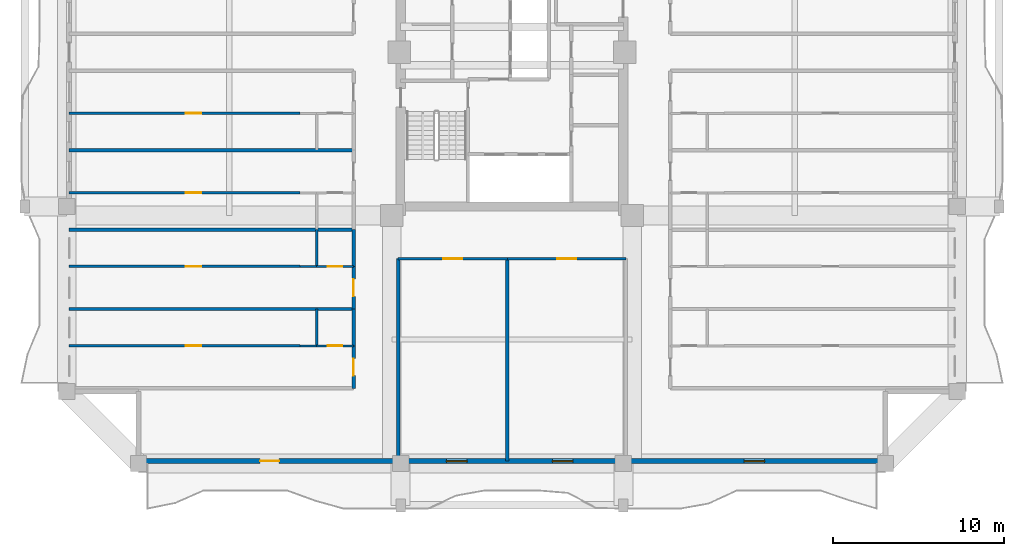
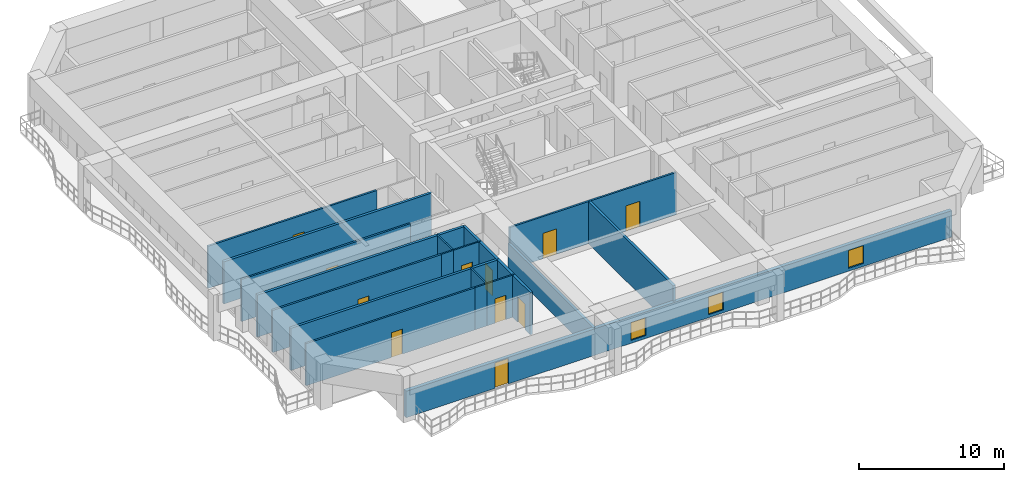
# One storey, part 2 of 13: 22 walls, 11 doors, 3 windows, 14 openings.
"""IFC4 building model written with IfcOpenShell, lengths in metres."""

from ifc_helpers import new_model, si_unit, direction, frame, frame_2d, origin, place, context, subcontext, project, spatial, rectangle, extrude, source, transform, mapped, material, layer, layer_set, type_object, element, fill, save


model = new_model("IFC4")

# Units and contexts
model_context = context("Model", 3, precision=1e-05, world=origin(), true_north=direction((0.0, 1.0)))
body_context = subcontext(model_context, "Body", "Model", "MODEL_VIEW")
ifc_project = project(units=[si_unit("LENGTHUNIT", "METRE"), si_unit("AREAUNIT", "SQUARE_METRE"), si_unit("VOLUMEUNIT", "CUBIC_METRE"), si_unit("PLANEANGLEUNIT", "RADIAN"), si_unit("MASSUNIT", "GRAM", prefix="KILO")], contexts=[model_context])

# Site, building, storey
site_placement = place(None, origin())
site = spatial("IfcSite", under=ifc_project, at=site_placement, CompositionType="ELEMENT")
building_placement = place(site_placement, origin())
building = spatial("IfcBuilding", under=site, at=building_placement, Name="Saelheon Loggia Tower", CompositionType="ELEMENT")
storey_placement = place(building_placement, frame((0.0, 0.0, 122.85009765625)))
storey = spatial("IfcBuildingStorey", under=building, at=storey_placement, Name="L39", CompositionType="ELEMENT", Elevation=122.85009765625)

# Wall, openings, windows, door
ifc_material_1 = material(Name="Architectural Precast Concrete C40/50", Category="concrete")
ifc_layer_1 = layer(ifc_material_1, 0.280029296875)
ifc_layer_set_1 = layer_set([ifc_layer_1], Name="Architectural Precast Concrete C40/50")
wall_type_1 = type_object("IfcWallType", Name="Wall_Ext_Loggia_280", PredefinedType="SOLIDWALL", material=ifc_layer_set_1)
wall_1_placement = place(storey_placement, frame((16.199951171875, 3.139892578125, 0.0), z_axis=(0.0, 0.0, 1.0), x_axis=(1.0, 0.0, 0.0)))
wall_1 = element("IfcWall", 1, at=wall_1_placement, inside=storey, type_object=wall_type_1, Name="L39 South Loggia Inner Wall", PredefinedType="SOLIDWALL", context=body_context, shape_type="SweptSolid", body=[
    extrude(rectangle(XDim=43.60009765625, YDim=0.280029296875, at=frame_2d((21.800048828125, 0.0))), origin(), (0.0, 0.0, 1.0), 2.239990234375),
])
opening_1_placement = place(wall_1_placement, frame((8.2001953125, 0.0, 0.0), z_axis=(0.0, 0.0, 1.0), x_axis=(-1.0, 0.0, 0.0)))
opening_1 = element("IfcOpeningElement", 2, at=opening_1_placement, cuts=wall_1, Name="Opening TD1", PredefinedType="OPENING", context=body_context, shape_type="SweptSolid", body=[
    extrude(rectangle(XDim=1.10009765625, YDim=2.14990234375, at=frame_2d((0.550048828125, 1.074951171875))), frame((0.0, 0.152099609375, 0.0), z_axis=(0.0, -1.0, 0.0), x_axis=(1.0, 0.0, 0.0)), (0.0, 0.0, 1.0), 0.303955078125),
])
opening_2_placement = place(wall_1_placement, frame((17.974609375, 0.0, 0.25)))
opening_2 = element("IfcOpeningElement", 3, at=opening_2_placement, cuts=wall_1, Name="Opening WN-03", PredefinedType="OPENING", context=body_context, shape_type="SweptSolid", body=[
    extrude(rectangle(XDim=1.199951171875, YDim=1.5, at=frame_2d((0.60009765625, 0.75))), frame((0.0, 0.152099609375, 0.0), z_axis=(0.0, -1.0, 0.0), x_axis=(1.0, 0.0, 0.0)), (0.0, 0.0, 1.0), 0.303955078125),
])
opening_3_placement = place(wall_1_placement, frame((24.159423828125, 0.0, 0.25)))
opening_3 = element("IfcOpeningElement", 4, at=opening_3_placement, cuts=wall_1, Name="Opening WN-03", PredefinedType="OPENING", context=body_context, shape_type="SweptSolid", body=[
    extrude(rectangle(XDim=1.199951171875, YDim=1.5, at=frame_2d((0.60009765625, 0.75))), frame((0.0, 0.152099609375, 0.0), z_axis=(0.0, -1.0, 0.0), x_axis=(1.0, 0.0, 0.0)), (0.0, 0.0, 1.0), 0.303955078125),
])
opening_4_placement = place(wall_1_placement, frame((35.35009765625, 0.0, 0.25)))
opening_4 = element("IfcOpeningElement", 5, at=opening_4_placement, cuts=wall_1, Name="Opening WN-03", PredefinedType="OPENING", context=body_context, shape_type="SweptSolid", body=[
    extrude(rectangle(XDim=1.199951171875, YDim=1.5, at=frame_2d((0.60009765625, 0.75))), frame((0.0, 0.152099609375, 0.0), z_axis=(0.0, -1.0, 0.0), x_axis=(1.0, 0.0, 0.0)), (0.0, 0.0, 1.0), 0.303955078125),
])
ifc_material_2 = material(Name="Thermal-Break Aluminium and Triple Low-E Glass", Category="aluminium")
window_type = type_object("IfcWindowType", Name="Win_Bedroom_1200x1500", PartitioningType="SINGLE_PANEL", PredefinedType="WINDOW", material=ifc_material_2)
shared_shape_1 = source(origin(), body_context, "Body", "SweptSolid", [
    extrude(rectangle(XDim=1.199951171875, YDim=1.5, at=frame_2d((0.60009765625, 0.75))), frame((0.0, 0.030029296875, 0.0), z_axis=(0.0, -1.0, 0.0), x_axis=(1.0, 0.0, 0.0)), (0.0, 0.0, 1.0), 0.06005859375),
])
window_1_placement = place(opening_2_placement, origin())
window_1 = element("IfcWindow", 6, at=window_1_placement, inside=storey, type_object=window_type, Name="L39 S Dwelling Window 2", OverallHeight=1.5, OverallWidth=1.199951171875, PartitioningType="SINGLE_PANEL", PredefinedType="WINDOW", context=body_context, shape_type="MappedRepresentation", body=[
    mapped(shared_shape_1, transform((0.0, 0.0, 0.0), scale=1.0)),
])
fill(opening_2, window_1)
window_2_placement = place(opening_3_placement, origin())
window_2 = element("IfcWindow", 7, at=window_2_placement, inside=storey, type_object=window_type, Name="L39 S Dwelling Window 3", OverallHeight=1.5, OverallWidth=1.199951171875, PartitioningType="SINGLE_PANEL", PredefinedType="WINDOW", context=body_context, shape_type="MappedRepresentation", body=[
    mapped(shared_shape_1, transform((0.0, 0.0, 0.0), scale=1.0)),
])
fill(opening_3, window_2)
window_3_placement = place(opening_4_placement, origin())
window_3 = element("IfcWindow", 8, at=window_3_placement, inside=storey, type_object=window_type, Name="L39 S Dwelling Window 4", OverallHeight=1.5, OverallWidth=1.199951171875, PartitioningType="SINGLE_PANEL", PredefinedType="WINDOW", context=body_context, shape_type="MappedRepresentation", body=[
    mapped(shared_shape_1, transform((0.0, 0.0, 0.0), scale=1.0)),
])
fill(opening_4, window_3)
ifc_material_3 = material(Name="Thermal-Break Aluminium Glazed Door", Category="aluminium")
door_type_1 = type_object("IfcDoorType", Name="Door_Terrace_TD1", OperationType="NOTDEFINED", PredefinedType="DOOR", material=ifc_material_3)
shared_shape_2 = source(origin(), body_context, "Body", "SweptSolid", [
    extrude(rectangle(XDim=1.10009765625, YDim=2.14990234375, at=frame_2d((0.550048828125, 1.074951171875))), frame((0.0, 0.02490234375, 0.0), z_axis=(0.0, -1.0, 0.0), x_axis=(1.0, 0.0, 0.0)), (0.0, 0.0, 1.0), 0.050048828125),
])
door_1_placement = place(opening_1_placement, origin())
door_1 = element("IfcDoor", 9, at=door_1_placement, inside=storey, type_object=door_type_1, Name="L39 S Loggia Access Door", OperationType="SINGLE_SWING_LEFT", OverallHeight=2.14990234375, OverallWidth=1.10009765625, PredefinedType="DOOR", context=body_context, shape_type="MappedRepresentation", body=[
    mapped(shared_shape_2, transform((0.0, 0.0, 0.0), scale=1.0)),
])
fill(opening_1, door_1)

# Wall, opening, door
ifc_material_4 = material(Name="Lightweight Autoclaved Aerated Concrete Block and Acoustic Gypsum", Category="concrete")
ifc_layer_2 = layer(ifc_material_4, 0.14990234375)
ifc_layer_set_2 = layer_set([ifc_layer_2], Name="Lightweight Autoclaved Aerated Concrete Block and Acoustic Gypsum")
wall_type_2 = type_object("IfcWallType", Name="Wall_Part_150", PredefinedType="PARTITIONING", material=ifc_layer_set_2)
wall_2_placement = place(storey_placement, frame((31.35009765625, 14.949951171875, 0.0), z_axis=(0.0, 0.0, 1.0), x_axis=(1.0, 0.0, 0.0)))
wall_2 = element("IfcWall", 10, at=wall_2_placement, inside=storey, type_object=wall_type_2, Name="L39 S Partition V03", PredefinedType="PARTITIONING", context=body_context, shape_type="SweptSolid", body=[
    extrude(rectangle(XDim=6.3837890625, YDim=0.14990234375, at=frame_2d((3.19189453125, 0.0))), origin(), (0.0, 0.0, 1.0), 3.559814453125),
])
opening_5_placement = place(wall_2_placement, frame((2.64208984375, 0.0, 0.0)))
opening_5 = element("IfcOpeningElement", 11, at=opening_5_placement, cuts=wall_2, Name="Opening D-FD2", PredefinedType="OPENING", context=body_context, shape_type="SweptSolid", body=[
    extrude(rectangle(XDim=1.10009765625, YDim=2.14990234375, at=frame_2d((0.550048828125, 1.074951171875))), frame((0.0, 0.0869140625, 0.0), z_axis=(0.0, -1.0, 0.0), x_axis=(1.0, 0.0, 0.0)), (0.0, 0.0, 1.0), 0.173828125),
])
ifc_material_5 = material(Name="Galvanised Steel Fire Door", Category="steel")
door_type_2 = type_object("IfcDoorType", Name="Door_Fire_FD60_1100", OperationType="NOTDEFINED", PredefinedType="DOOR", material=ifc_material_5)
door_2_placement = place(opening_5_placement, origin())
door_2 = element("IfcDoor", 12, at=door_2_placement, inside=storey, type_object=door_type_2, Name="L39 Sky Community Club Hall Door A", OperationType="SINGLE_SWING_LEFT", OverallHeight=2.14990234375, OverallWidth=1.10009765625, PredefinedType="DOOR", context=body_context, shape_type="MappedRepresentation", body=[
    mapped(shared_shape_2, transform((0.0, 0.0, 0.0), scale=1.0)),
])
fill(opening_5, door_2)

wall_3_placement = place(storey_placement, frame((37.73388671875, 14.949951171875, 0.0), z_axis=(0.0, 0.0, 1.0), x_axis=(1.0, 0.0, 0.0)))
wall_3 = element("IfcWall", 13, at=wall_3_placement, inside=storey, type_object=wall_type_2, Name="L39 S Partition V05", PredefinedType="PARTITIONING", context=body_context, shape_type="SweptSolid", body=[
    extrude(rectangle(XDim=6.916015625, YDim=0.14990234375, at=frame_2d((3.4580078125, 0.0))), origin(), (0.0, 0.0, 1.0), 3.559814453125),
])
opening_6_placement = place(wall_3_placement, frame((2.907958984375, 0.0, 0.0)))
opening_6 = element("IfcOpeningElement", 14, at=opening_6_placement, cuts=wall_3, Name="Opening D-FD2", PredefinedType="OPENING", context=body_context, shape_type="SweptSolid", body=[
    extrude(rectangle(XDim=1.10009765625, YDim=2.14990234375, at=frame_2d((0.550048828125, 1.074951171875))), frame((0.0, 0.0869140625, 0.0), z_axis=(0.0, -1.0, 0.0), x_axis=(1.0, 0.0, 0.0)), (0.0, 0.0, 1.0), 0.173828125),
])
door_3_placement = place(opening_6_placement, origin())
door_3 = element("IfcDoor", 15, at=door_3_placement, inside=storey, type_object=door_type_2, Name="L39 Community Wellness Activity Hall Door A", OperationType="SINGLE_SWING_RIGHT", OverallHeight=2.14990234375, OverallWidth=1.10009765625, PredefinedType="DOOR", context=body_context, shape_type="MappedRepresentation", body=[
    mapped(shared_shape_2, transform((0.0, 0.0, 0.0), scale=1.0)),
])
fill(opening_6, door_3)

wall_4_placement = place(storey_placement, frame((25.6298828125, 9.864990234375, 0.0), z_axis=(0.0, 0.0, 1.0), x_axis=(-1.0, 0.0, 0.0)))
wall_4 = element("IfcWall", 16, at=wall_4_placement, inside=storey, type_object=wall_type_2, Name="L39 WS Partition U08", PredefinedType="PARTITIONING", context=body_context, shape_type="SweptSolid", body=[
    extrude(rectangle(XDim=13.47998046875, YDim=0.14990234375, at=frame_2d((6.739990234375, 0.0))), origin(), (0.0, 0.0, 1.0), 3.559814453125),
])
opening_7_placement = place(wall_4_placement, frame((5.785888671875, 0.0, 0.0)))
opening_7 = element("IfcOpeningElement", 17, at=opening_7_placement, cuts=wall_4, Name="Opening D-IN2", PredefinedType="OPENING", context=body_context, shape_type="SweptSolid", body=[
    extrude(rectangle(XDim=0.89990234375, YDim=2.10009765625, at=frame_2d((0.449951171875, 1.050048828125))), frame((0.0, 0.0869140625, 0.0), z_axis=(0.0, -1.0, 0.0), x_axis=(1.0, 0.0, 0.0)), (0.0, 0.0, 1.0), 0.173828125),
])
ifc_material_6 = material(Name="Engineered Oak Flush Door", Category="timber")
door_type_3 = type_object("IfcDoorType", Name="Door_Int_900", OperationType="NOTDEFINED", PredefinedType="DOOR", material=ifc_material_6)
shared_shape_3 = source(origin(), body_context, "Body", "SweptSolid", [
    extrude(rectangle(XDim=0.89990234375, YDim=2.10009765625, at=frame_2d((0.449951171875, 1.050048828125))), frame((0.0, 0.02490234375, 0.0), z_axis=(0.0, -1.0, 0.0), x_axis=(1.0, 0.0, 0.0)), (0.0, 0.0, 1.0), 0.050048828125),
])
door_4_placement = place(opening_7_placement, origin())
door_4 = element("IfcDoor", 18, at=door_4_placement, inside=storey, type_object=door_type_3, Name="Unit U01 Kitchen Door", OperationType="SINGLE_SWING_RIGHT", OverallHeight=2.10009765625, OverallWidth=0.89990234375, PredefinedType="DOOR", context=body_context, shape_type="MappedRepresentation", body=[
    mapped(shared_shape_3, transform((0.0, 0.0, 0.0), scale=1.0)),
])
fill(opening_7, door_4)

wall_5_placement = place(storey_placement, frame((25.6298828125, 14.5, 0.0), z_axis=(0.0, 0.0, 1.0), x_axis=(-1.0, 0.0, 0.0)))
wall_5 = element("IfcWall", 19, at=wall_5_placement, inside=storey, type_object=wall_type_2, Name="L39 WS Partition U15", PredefinedType="PARTITIONING", context=body_context, shape_type="SweptSolid", body=[
    extrude(rectangle(XDim=13.47998046875, YDim=0.14990234375, at=frame_2d((6.739990234375, 0.0))), origin(), (0.0, 0.0, 1.0), 3.559814453125),
])
opening_8_placement = place(wall_5_placement, frame((5.785888671875, 0.0, 0.0)))
opening_8 = element("IfcOpeningElement", 20, at=opening_8_placement, cuts=wall_5, Name="Opening D-IN2", PredefinedType="OPENING", context=body_context, shape_type="SweptSolid", body=[
    extrude(rectangle(XDim=0.89990234375, YDim=2.10009765625, at=frame_2d((0.449951171875, 1.050048828125))), frame((0.0, 0.0869140625, 0.0), z_axis=(0.0, -1.0, 0.0), x_axis=(1.0, 0.0, 0.0)), (0.0, 0.0, 1.0), 0.173828125),
])
door_5_placement = place(opening_8_placement, origin())
door_5 = element("IfcDoor", 21, at=door_5_placement, inside=storey, type_object=door_type_3, Name="Unit U02 Kitchen Door", OperationType="SINGLE_SWING_LEFT", OverallHeight=2.10009765625, OverallWidth=0.89990234375, PredefinedType="DOOR", context=body_context, shape_type="MappedRepresentation", body=[
    mapped(shared_shape_3, transform((0.0, 0.0, 0.0), scale=1.0)),
])
fill(opening_8, door_5)

wall_6_placement = place(storey_placement, frame((25.6298828125, 18.800048828125, 0.0), z_axis=(0.0, 0.0, 1.0), x_axis=(-1.0, 0.0, 0.0)))
wall_6 = element("IfcWall", 22, at=wall_6_placement, inside=storey, type_object=wall_type_2, Name="L39 WS Partition U22", PredefinedType="PARTITIONING", context=body_context, shape_type="SweptSolid", body=[
    extrude(rectangle(XDim=13.47998046875, YDim=0.14990234375, at=frame_2d((6.739990234375, 0.0))), origin(), (0.0, 0.0, 1.0), 3.559814453125),
])
opening_9_placement = place(wall_6_placement, frame((5.785888671875, 0.0, 0.0)))
opening_9 = element("IfcOpeningElement", 23, at=opening_9_placement, cuts=wall_6, Name="Opening D-IN2", PredefinedType="OPENING", context=body_context, shape_type="SweptSolid", body=[
    extrude(rectangle(XDim=0.89990234375, YDim=2.10009765625, at=frame_2d((0.449951171875, 1.050048828125))), frame((0.0, 0.0869140625, 0.0), z_axis=(0.0, -1.0, 0.0), x_axis=(1.0, 0.0, 0.0)), (0.0, 0.0, 1.0), 0.173828125),
])
door_6_placement = place(opening_9_placement, origin())
door_6 = element("IfcDoor", 24, at=door_6_placement, inside=storey, type_object=door_type_3, Name="Unit U03 Kitchen Door", OperationType="SINGLE_SWING_RIGHT", OverallHeight=2.10009765625, OverallWidth=0.89990234375, PredefinedType="DOOR", context=body_context, shape_type="MappedRepresentation", body=[
    mapped(shared_shape_3, transform((0.0, 0.0, 0.0), scale=1.0)),
])
fill(opening_9, door_6)

wall_7_placement = place(storey_placement, frame((25.6298828125, 23.43505859375, 0.0), z_axis=(0.0, 0.0, 1.0), x_axis=(-1.0, 0.0, 0.0)))
wall_7 = element("IfcWall", 25, at=wall_7_placement, inside=storey, type_object=wall_type_2, Name="L39 WS Partition U29", PredefinedType="PARTITIONING", context=body_context, shape_type="SweptSolid", body=[
    extrude(rectangle(XDim=13.47998046875, YDim=0.14990234375, at=frame_2d((6.739990234375, 0.0))), origin(), (0.0, 0.0, 1.0), 3.559814453125),
])
opening_10_placement = place(wall_7_placement, frame((5.785888671875, 0.0, 0.0)))
opening_10 = element("IfcOpeningElement", 26, at=opening_10_placement, cuts=wall_7, Name="Opening D-IN2", PredefinedType="OPENING", context=body_context, shape_type="SweptSolid", body=[
    extrude(rectangle(XDim=0.89990234375, YDim=2.10009765625, at=frame_2d((0.449951171875, 1.050048828125))), frame((0.0, 0.0869140625, 0.0), z_axis=(0.0, -1.0, 0.0), x_axis=(1.0, 0.0, 0.0)), (0.0, 0.0, 1.0), 0.173828125),
])
door_7_placement = place(opening_10_placement, origin())
door_7 = element("IfcDoor", 27, at=door_7_placement, inside=storey, type_object=door_type_3, Name="Unit U04 Kitchen Door", OperationType="SINGLE_SWING_LEFT", OverallHeight=2.10009765625, OverallWidth=0.89990234375, PredefinedType="DOOR", context=body_context, shape_type="MappedRepresentation", body=[
    mapped(shared_shape_3, transform((0.0, 0.0, 0.0), scale=1.0)),
])
fill(opening_10, door_7)

# Walls
ifc_material_7 = material(Name="Double Acoustic Stud and Fireboard Partition", Category="gypsum")
ifc_layer_3 = layer(ifc_material_7, 0.199951171875)
ifc_layer_set_3 = layer_set([ifc_layer_3], Name="Double Acoustic Stud and Fireboard Partition")
wall_type_3 = type_object("IfcWallType", Name="Wall_Party_200", PredefinedType="PARTITIONING", material=ifc_layer_set_3)
wall_8_placement = place(storey_placement, frame((31.35009765625, 14.949951171875, 0.0), z_axis=(0.0, 0.0, 1.0), x_axis=(0.0, -1.0, 0.0)))
element("IfcWall", 28, at=wall_8_placement, inside=storey, type_object=wall_type_3, Name="L39 S Partition U01", PredefinedType="PARTITIONING", context=body_context, shape_type="SweptSolid", body=[
    extrude(rectangle(XDim=11.800048828125, YDim=0.199951171875, at=frame_2d((5.89990234375, 0.0))), origin(), (0.0, 0.0, 1.0), 2.239990234375),
])
wall_9_placement = place(storey_placement, frame((37.73388671875, 14.949951171875, 0.0), z_axis=(0.0, 0.0, 1.0), x_axis=(0.0, -1.0, 0.0)))
element("IfcWall", 29, at=wall_9_placement, inside=storey, type_object=wall_type_3, Name="L39 S Partition U04", PredefinedType="PARTITIONING", context=body_context, shape_type="SweptSolid", body=[
    extrude(rectangle(XDim=11.800048828125, YDim=0.199951171875, at=frame_2d((5.89990234375, 0.0))), origin(), (0.0, 0.0, 1.0), 3.559814453125),
])

# Wall, opening, door
wall_10_placement = place(storey_placement, frame((28.75, 7.3798828125, 0.0), z_axis=(0.0, 0.0, 1.0), x_axis=(0.0, 1.0, 0.0)))
wall_10 = element("IfcWall", 30, at=wall_10_placement, inside=storey, type_object=wall_type_3, Name="L39 WS Partition V03", PredefinedType="PARTITIONING", context=body_context, shape_type="SweptSolid", body=[
    extrude(rectangle(XDim=2.485107421875, YDim=0.199951171875, at=frame_2d((1.24267578125, 0.0))), origin(), (0.0, 0.0, 1.0), 3.559814453125),
])
opening_11_placement = place(wall_10_placement, frame((0.742431640625, 0.0, 0.0)))
opening_11 = element("IfcOpeningElement", 31, at=opening_11_placement, cuts=wall_10, Name="Opening D-FD1", PredefinedType="OPENING", context=body_context, shape_type="SweptSolid", body=[
    extrude(rectangle(XDim=1.0, YDim=2.14990234375, at=frame_2d((0.5, 1.074951171875))), frame((0.0, 0.112060546875, 0.0), z_axis=(0.0, -1.0, 0.0), x_axis=(1.0, 0.0, 0.0)), (0.0, 0.0, 1.0), 0.223876953125),
])
ifc_material_8 = material(Name="Fire-Rated Engineered Timber Entrance Door", Category="wood")
door_type_4 = type_object("IfcDoorType", Name="Door_Flat_FD30S", OperationType="NOTDEFINED", PredefinedType="DOOR", material=ifc_material_8)
shared_shape_4 = source(origin(), body_context, "Body", "SweptSolid", [
    extrude(rectangle(XDim=1.0, YDim=2.14990234375, at=frame_2d((0.5, 1.074951171875))), frame((0.0, 0.02490234375, 0.0), z_axis=(0.0, -1.0, 0.0), x_axis=(1.0, 0.0, 0.0)), (0.0, 0.0, 1.0), 0.050048828125),
])
door_8_placement = place(opening_11_placement, origin())
door_8 = element("IfcDoor", 32, at=door_8_placement, inside=storey, type_object=door_type_4, Name="Unit U01 Entrance Door", OperationType="SINGLE_SWING_RIGHT", OverallHeight=2.14990234375, OverallWidth=1.0, PredefinedType="DOOR", context=body_context, shape_type="MappedRepresentation", body=[
    mapped(shared_shape_4, transform((0.0, 0.0, 0.0), scale=1.0)),
])
fill(opening_11, door_8)

# Walls
wall_11_placement = place(storey_placement, frame((28.75, 9.864990234375, 0.0), z_axis=(0.0, 0.0, 1.0), x_axis=(0.0, 1.0, 0.0)))
element("IfcWall", 33, at=wall_11_placement, inside=storey, type_object=wall_type_3, Name="L39 WS Partition V04", PredefinedType="PARTITIONING", context=body_context, shape_type="SweptSolid", body=[
    extrude(rectangle(XDim=2.14990234375, YDim=0.199951171875, at=frame_2d((1.074951171875, 0.0))), origin(), (0.0, 0.0, 1.0), 3.559814453125),
])
wall_12_placement = place(storey_placement, frame((28.75, 12.014892578125, 0.0), z_axis=(0.0, 0.0, 1.0), x_axis=(-1.0, 0.0, 0.0)))
element("IfcWall", 34, at=wall_12_placement, inside=storey, type_object=wall_type_3, Name="L39 WS Partition U09", PredefinedType="PARTITIONING", context=body_context, shape_type="SweptSolid", body=[
    extrude(rectangle(XDim=16.60009765625, YDim=0.199951171875, at=frame_2d((8.300048828125, 0.0))), origin(), (0.0, 0.0, 1.0), 3.559814453125),
])

# Wall, opening, door
wall_13_placement = place(storey_placement, frame((28.75, 12.014892578125, 0.0), z_axis=(0.0, 0.0, 1.0), x_axis=(0.0, 1.0, 0.0)))
wall_13 = element("IfcWall", 35, at=wall_13_placement, inside=storey, type_object=wall_type_3, Name="L39 WS Partition V10", PredefinedType="PARTITIONING", context=body_context, shape_type="SweptSolid", body=[
    extrude(rectangle(XDim=2.485107421875, YDim=0.199951171875, at=frame_2d((1.24267578125, 0.0))), origin(), (0.0, 0.0, 1.0), 3.559814453125),
])
opening_12_placement = place(wall_13_placement, frame((0.742431640625, 0.0, 0.0)))
opening_12 = element("IfcOpeningElement", 36, at=opening_12_placement, cuts=wall_13, Name="Opening D-FD1", PredefinedType="OPENING", context=body_context, shape_type="SweptSolid", body=[
    extrude(rectangle(XDim=1.0, YDim=2.14990234375, at=frame_2d((0.5, 1.074951171875))), frame((0.0, 0.112060546875, 0.0), z_axis=(0.0, -1.0, 0.0), x_axis=(1.0, 0.0, 0.0)), (0.0, 0.0, 1.0), 0.223876953125),
])
door_9_placement = place(opening_12_placement, origin())
door_9 = element("IfcDoor", 37, at=door_9_placement, inside=storey, type_object=door_type_4, Name="Unit U02 Entrance Door", OperationType="SINGLE_SWING_LEFT", OverallHeight=2.14990234375, OverallWidth=1.0, PredefinedType="DOOR", context=body_context, shape_type="MappedRepresentation", body=[
    mapped(shared_shape_4, transform((0.0, 0.0, 0.0), scale=1.0)),
])
fill(opening_12, door_9)

# Walls
wall_14_placement = place(storey_placement, frame((28.75, 14.5, 0.0), z_axis=(0.0, 0.0, 1.0), x_axis=(0.0, 1.0, 0.0)))
element("IfcWall", 38, at=wall_14_placement, inside=storey, type_object=wall_type_3, Name="L39 WS Partition V11", PredefinedType="PARTITIONING", context=body_context, shape_type="SweptSolid", body=[
    extrude(rectangle(XDim=2.14990234375, YDim=0.199951171875, at=frame_2d((1.074951171875, 0.0))), origin(), (0.0, 0.0, 1.0), 3.559814453125),
])
for number, where, z_axis, x_axis, name in (
    (39, (28.75, 16.64990234375, 0.0), (0.0, 0.0, 1.0), (-1.0, 0.0, 0.0), "L39 WS Partition U16"),
    (40, (28.75, 21.284912109375, 0.0), (0.0, 0.0, 1.0), (-1.0, 0.0, 0.0), "L39 WS Partition U23"),
):
    element("IfcWall", number, at=place(storey_placement, frame(where, z_axis=z_axis, x_axis=x_axis)), inside=storey, type_object=wall_type_3, Name=name, PredefinedType="PARTITIONING", context=body_context, shape_type="SweptSolid", body=[
        extrude(rectangle(XDim=16.60009765625, YDim=0.199951171875, at=frame_2d((8.300048828125, 0.0))), origin(), (0.0, 0.0, 1.0), 3.559814453125),
    ])

# Wall, opening, door
ifc_material_9 = material(Name="Moisture-Resistant Cement Board Partition", Category="gypsum")
ifc_layer_4 = layer(ifc_material_9, 0.1201171875)
ifc_layer_set_4 = layer_set([ifc_layer_4], Name="Moisture-Resistant Cement Board Partition")
wall_type_4 = type_object("IfcWallType", Name="Wall_WetPart_120", PredefinedType="PARTITIONING", material=ifc_layer_set_4)
wall_15_placement = place(storey_placement, frame((28.75, 9.864990234375, 0.0), z_axis=(0.0, 0.0, 1.0), x_axis=(-1.0, 0.0, 0.0)))
wall_15 = element("IfcWall", 41, at=wall_15_placement, inside=storey, type_object=wall_type_4, Name="L39 WS Partition U05", PredefinedType="PARTITIONING", context=body_context, shape_type="SweptSolid", body=[
    extrude(rectangle(XDim=2.14990234375, YDim=0.1201171875, at=frame_2d((1.074951171875, 0.0))), origin(), (0.0, 0.0, 1.0), 3.559814453125),
])
opening_13_placement = place(wall_15_placement, frame((0.64990234375, 0.0, 0.0)))
opening_13 = element("IfcOpeningElement", 42, at=opening_13_placement, cuts=wall_15, Name="Opening D-BT1", PredefinedType="OPENING", context=body_context, shape_type="SweptSolid", body=[
    extrude(rectangle(XDim=0.85009765625, YDim=2.050048828125, at=frame_2d((0.425048828125, 1.02490234375))), frame((0.0, 0.072021484375, 0.0), z_axis=(0.0, -1.0, 0.0), x_axis=(1.0, 0.0, 0.0)), (0.0, 0.0, 1.0), 0.14404296875),
])
ifc_material_10 = material(Name="Moisture-Resistant Laminate Timber Door", Category="wood")
door_type_5 = type_object("IfcDoorType", Name="Door_Bath_850", OperationType="NOTDEFINED", PredefinedType="DOOR", material=ifc_material_10)
shared_shape_5 = source(origin(), body_context, "Body", "SweptSolid", [
    extrude(rectangle(XDim=0.85009765625, YDim=2.050048828125, at=frame_2d((0.425048828125, 1.02490234375))), frame((0.0, 0.02490234375, 0.0), z_axis=(0.0, -1.0, 0.0), x_axis=(1.0, 0.0, 0.0)), (0.0, 0.0, 1.0), 0.050048828125),
])
door_10_placement = place(opening_13_placement, origin())
door_10 = element("IfcDoor", 43, at=door_10_placement, inside=storey, type_object=door_type_5, Name="Unit U01 Bathroom Door", OperationType="SINGLE_SWING_LEFT", OverallHeight=2.050048828125, OverallWidth=0.85009765625, PredefinedType="DOOR", context=body_context, shape_type="MappedRepresentation", body=[
    mapped(shared_shape_5, transform((0.0, 0.0, 0.0), scale=1.0)),
])
fill(opening_13, door_10)

# Walls
wall_16_placement = place(storey_placement, frame((26.60009765625, 9.864990234375, 0.0), z_axis=(0.0, 0.0, 1.0), x_axis=(-1.0, 0.0, 0.0)))
element("IfcWall", 44, at=wall_16_placement, inside=storey, type_object=wall_type_4, Name="L39 WS Partition U06", PredefinedType="PARTITIONING", context=body_context, shape_type="SweptSolid", body=[
    extrude(rectangle(XDim=0.97021484375, YDim=0.1201171875, at=frame_2d((0.485107421875, 0.0))), origin(), (0.0, 0.0, 1.0), 3.559814453125),
])
wall_17_placement = place(storey_placement, frame((26.60009765625, 9.864990234375, 0.0), z_axis=(0.0, 0.0, 1.0), x_axis=(0.0, 1.0, 0.0)))
element("IfcWall", 45, at=wall_17_placement, inside=storey, type_object=wall_type_4, Name="L39 WS Partition V07", PredefinedType="PARTITIONING", context=body_context, shape_type="SweptSolid", body=[
    extrude(rectangle(XDim=2.14990234375, YDim=0.1201171875, at=frame_2d((1.074951171875, 0.0))), origin(), (0.0, 0.0, 1.0), 3.559814453125),
])

# Wall, opening, door
wall_18_placement = place(storey_placement, frame((28.75, 14.5, 0.0), z_axis=(0.0, 0.0, 1.0), x_axis=(-1.0, 0.0, 0.0)))
wall_18 = element("IfcWall", 46, at=wall_18_placement, inside=storey, type_object=wall_type_4, Name="L39 WS Partition U12", PredefinedType="PARTITIONING", context=body_context, shape_type="SweptSolid", body=[
    extrude(rectangle(XDim=2.14990234375, YDim=0.1201171875, at=frame_2d((1.074951171875, 0.0))), origin(), (0.0, 0.0, 1.0), 3.559814453125),
])
opening_14_placement = place(wall_18_placement, frame((0.64990234375, 0.0, 0.0)))
opening_14 = element("IfcOpeningElement", 47, at=opening_14_placement, cuts=wall_18, Name="Opening D-BT1", PredefinedType="OPENING", context=body_context, shape_type="SweptSolid", body=[
    extrude(rectangle(XDim=0.85009765625, YDim=2.050048828125, at=frame_2d((0.425048828125, 1.02490234375))), frame((0.0, 0.072021484375, 0.0), z_axis=(0.0, -1.0, 0.0), x_axis=(1.0, 0.0, 0.0)), (0.0, 0.0, 1.0), 0.14404296875),
])
door_11_placement = place(opening_14_placement, origin())
door_11 = element("IfcDoor", 48, at=door_11_placement, inside=storey, type_object=door_type_5, Name="Unit U02 Bathroom Door", OperationType="SINGLE_SWING_RIGHT", OverallHeight=2.050048828125, OverallWidth=0.85009765625, PredefinedType="DOOR", context=body_context, shape_type="MappedRepresentation", body=[
    mapped(shared_shape_5, transform((0.0, 0.0, 0.0), scale=1.0)),
])
fill(opening_14, door_11)

# Walls
wall_19_placement = place(storey_placement, frame((26.60009765625, 14.5, 0.0), z_axis=(0.0, 0.0, 1.0), x_axis=(-1.0, 0.0, 0.0)))
element("IfcWall", 49, at=wall_19_placement, inside=storey, type_object=wall_type_4, Name="L39 WS Partition U13", PredefinedType="PARTITIONING", context=body_context, shape_type="SweptSolid", body=[
    extrude(rectangle(XDim=0.97021484375, YDim=0.1201171875, at=frame_2d((0.485107421875, 0.0))), origin(), (0.0, 0.0, 1.0), 3.559814453125),
])
wall_20_placement = place(storey_placement, frame((26.60009765625, 14.5, 0.0), z_axis=(0.0, 0.0, 1.0), x_axis=(0.0, 1.0, 0.0)))
element("IfcWall", 50, at=wall_20_placement, inside=storey, type_object=wall_type_4, Name="L39 WS Partition V14", PredefinedType="PARTITIONING", context=body_context, shape_type="SweptSolid", body=[
    extrude(rectangle(XDim=2.14990234375, YDim=0.1201171875, at=frame_2d((1.074951171875, 0.0))), origin(), (0.0, 0.0, 1.0), 3.559814453125),
])

save(model, "model.ifc")
